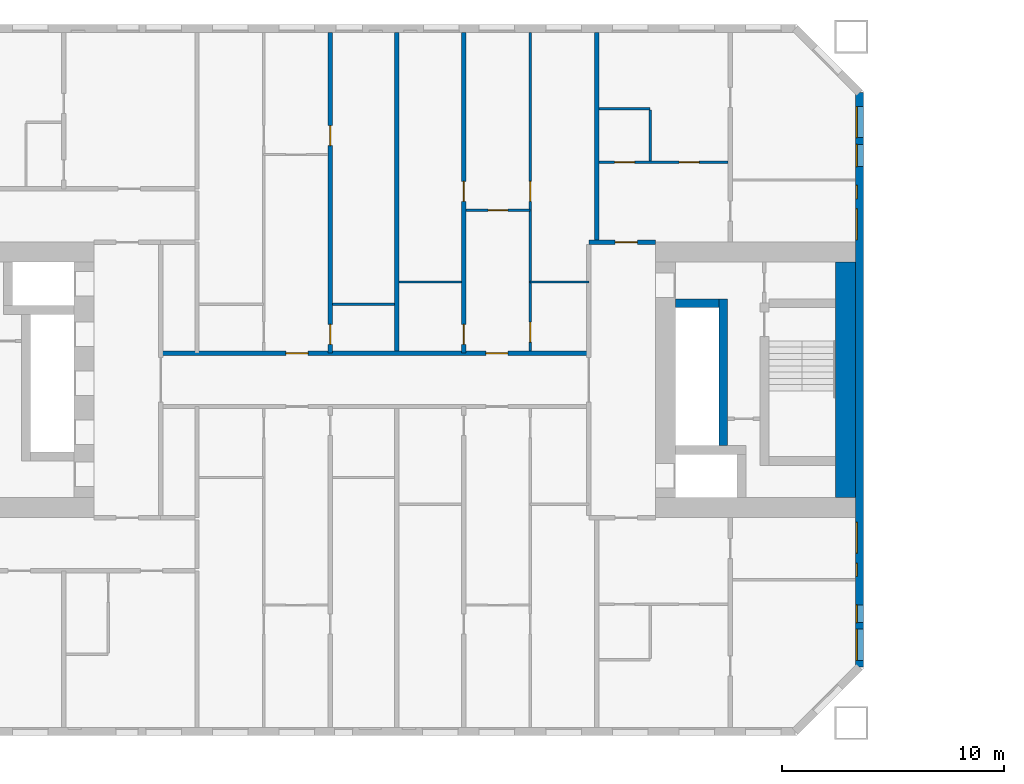
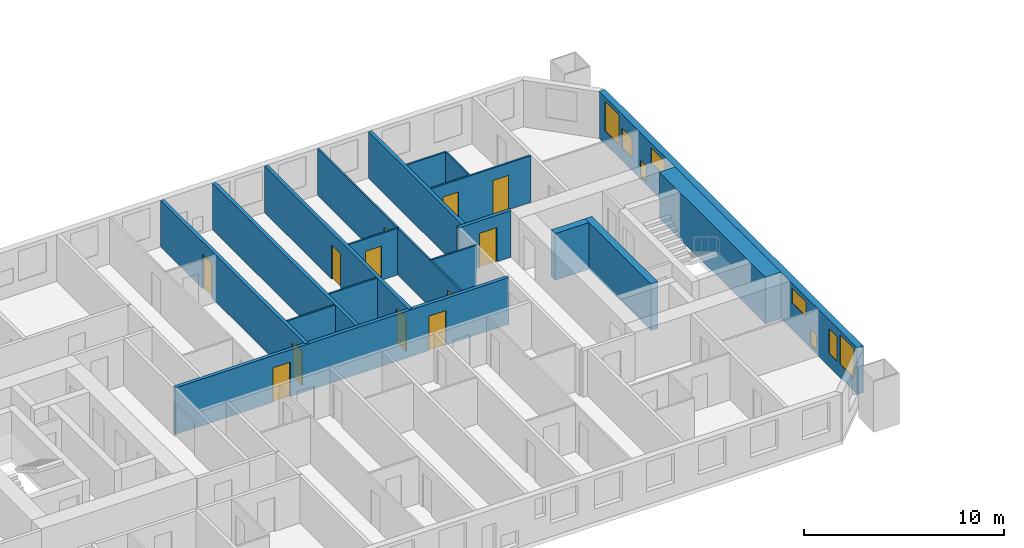
# One storey, part 8 of 18: 18 walls, 12 doors, 8 windows, 20 openings.
"""IFC4 building model written with IfcOpenShell, lengths in metres."""

import ifcopenshell
import ifcopenshell.guid

model = None  # the IFC model being written
_history = None  # IfcOwnerHistory: only IFC2X3 demands one
_inside = {}  # id of a spatial element -> (the spatial element, [elements in it])
_under = {}  # id of a project, library or spatial element -> (it, [spatial elements below it])
_declared = {}  # id of a project -> (the project, [libraries it declares])
_typed = {}  # id of a type object -> (the type object, [elements of that type])
_made_of = {}  # id of a material, layer set ... -> (it, [elements and type objects made of it])


def new_model(schema):
    """Start an empty IFC model of exactly this schema.

    Asked for "IFC4X3", IfcOpenShell would pick the latest addendum, in which some entities
    have other attributes; the version numbers below select the first issue.
    IFC2X3 requires an IfcOwnerHistory on every rooted entity: one is made here for all.
    """
    global model, _history
    if schema == "IFC4X3":
        model = ifcopenshell.file(schema_version=(4, 3, 0, 0))
    else:
        model = ifcopenshell.file(schema=schema)
    _inside.clear()
    _under.clear()
    _declared.clear()
    _typed.clear()
    _made_of.clear()
    _history = None
    if model.schema == "IFC2X3":
        org = make("IfcOrganization", Name="unknown")
        user = make(
            "IfcPersonAndOrganization",
            ThePerson=make("IfcPerson", FamilyName="unknown"),
            TheOrganization=org,
        )
        app = make(
            "IfcApplication",
            ApplicationDeveloper=org,
            Version="unknown",
            ApplicationFullName="unknown",
            ApplicationIdentifier="unknown",
        )
        _history = make(
            "IfcOwnerHistory",
            OwningUser=user,
            OwningApplication=app,
            ChangeAction="ADDED",
            CreationDate=0,
        )
    return model


def make(cls, **values):
    """One entity of the class cls with the attributes given. An attribute that is None is left unset."""
    return model.create_entity(
        cls, **{name: value for name, value in values.items() if value is not None}
    )


def rooted(cls, **values):
    """An entity with a GlobalId (a new one), such as an element, a storey or a relation."""
    return make(cls, GlobalId=ifcopenshell.guid.new(), OwnerHistory=_history, **values)


def si_unit(unit_type, name, prefix=None):
    """IfcSIUnit, for example si_unit("LENGTHUNIT", "METRE", prefix="MILLI")."""
    return make("IfcSIUnit", UnitType=unit_type, Prefix=prefix, Name=name)


def assignment(units):
    """IfcUnitAssignment: the units of a project."""
    return None if units is None else make("IfcUnitAssignment", Units=units)


def point(xyz):
    """IfcCartesianPoint."""
    return None if xyz is None else make("IfcCartesianPoint", Coordinates=xyz)


def direction(xyz):
    """IfcDirection."""
    return None if xyz is None else make("IfcDirection", DirectionRatios=xyz)


def frame(location, z_axis=None, x_axis=None):
    """IfcAxis2Placement3D, a coordinate frame: its origin and axes. An axis left out is left unset."""
    return make(
        "IfcAxis2Placement3D",
        Location=point(location),
        Axis=direction(z_axis),
        RefDirection=direction(x_axis),
    )


def frame_2d(location, x_axis=None):
    """IfcAxis2Placement2D, a coordinate frame in the plane: its origin and x axis."""
    return make(
        "IfcAxis2Placement2D", Location=point(location), RefDirection=direction(x_axis)
    )


def origin():
    """The frame at (0, 0, 0) with its axes left unset."""
    return frame((0.0, 0.0, 0.0))


def place(relative_to, where):
    """IfcLocalPlacement: puts the frame where relative to a parent placement (None: the world)."""
    return make(
        "IfcLocalPlacement", PlacementRelTo=relative_to, RelativePlacement=where
    )


def context(
    kind, dimensions, precision=None, world=None, true_north=None, identifier=None
):
    """IfcGeometricRepresentationContext, for example the 3D "Model" context."""
    return make(
        "IfcGeometricRepresentationContext",
        ContextIdentifier=identifier,
        ContextType=kind,
        CoordinateSpaceDimension=dimensions,
        Precision=precision,
        WorldCoordinateSystem=world,
        TrueNorth=true_north,
    )


def subcontext(parent, identifier, kind, view, scale=None):
    """IfcGeometricRepresentationSubContext, for example "Body" below "Model"."""
    return make(
        "IfcGeometricRepresentationSubContext",
        ContextIdentifier=identifier,
        ContextType=kind,
        ParentContext=parent,
        TargetScale=scale,
        TargetView=view,
    )


def project(units=None, contexts=None):
    """IfcProject with its units and contexts."""
    return rooted(
        "IfcProject",
        Name="project",
        RepresentationContexts=contexts,
        UnitsInContext=assignment(units),
    )


def spatial(cls, under=None, at=None, **own):
    """A site, building, storey or space (cls), placed at a placement, below another one or the project."""
    s = rooted(cls, ObjectPlacement=at, **own)
    if under is not None:
        _under.setdefault(under.id(), (under, []))[1].append(s)
    return s


def profile(cls, at=None, kind="AREA", **sizes):
    """A parametric profile (cls). Its sizes go by their IFC names, for example OverallWidth=200.0."""
    return make(cls, ProfileType=kind, Position=at, **sizes)


def rectangle(**sizes):
    """IfcRectangleProfileDef."""
    return profile("IfcRectangleProfileDef", **sizes)


def extrude(swept, where, along, depth):
    """IfcExtrudedAreaSolid: the profile swept, set in the frame where, extruded along a direction by depth."""
    return make(
        "IfcExtrudedAreaSolid",
        SweptArea=swept,
        Position=where,
        ExtrudedDirection=direction(along),
        Depth=depth,
    )


def shape(context_of_items, identifier, shape_type, items):
    """IfcShapeRepresentation: the items that make up one representation, for example the "Body"."""
    return make(
        "IfcShapeRepresentation",
        ContextOfItems=context_of_items,
        RepresentationIdentifier=identifier,
        RepresentationType=shape_type,
        Items=items,
    )


def material(Name=None, Category=None):
    """IfcMaterial."""
    return make("IfcMaterial", Name=Name, Category=Category)


def layer(
    of_material, thickness, ventilated=None, Name=None, Category=None, Priority=None
):
    """IfcMaterialLayer: one layer of a wall or slab, of a material (None: an air gap)."""
    return make(
        "IfcMaterialLayer",
        Material=of_material,
        LayerThickness=thickness,
        IsVentilated=ventilated,
        Name=Name,
        Category=Category,
        Priority=Priority,
    )


def layer_set(layers, Name=None):
    """IfcMaterialLayerSet."""
    return make("IfcMaterialLayerSet", MaterialLayers=layers, LayerSetName=Name)


def made_of(thing, what):
    """Note that an element or type object is made of a material, layer set ...; save() writes the relation."""
    if what is not None:
        _made_of.setdefault(what.id(), (what, []))[1].append(thing)
    return thing


def type_object(cls, material=None, **own):
    """A type object (cls), such as IfcWallType, which elements share."""
    return made_of(rooted(cls, **own), material)


def element(
    cls,
    number,
    at=None,
    inside=None,
    cuts=None,
    type_object=None,
    material=None,
    context=None,
    identifier="Body",
    shape_type=None,
    held_by="IfcProductDefinitionShape",
    body=None,
    shapes=None,
    **own,
):
    """One element of the class cls, such as IfcWall. Its Tag is "e" and its number.

    at: its placement. inside: the storey or other place that contains it. cuts: it is an
    opening in that element (IfcRelVoidsElement). A single representation is given by context,
    identifier, shape_type and body (its items); several are given by shapes. held_by: the class
    of the entity that holds the representations. save() writes the other relations.
    """
    e = rooted(cls, Tag="e%d" % number, ObjectPlacement=at, **own)
    if body is not None:
        shapes = [shape(context, identifier, shape_type, body)]
    if shapes is not None:
        e.Representation = make(held_by, Representations=shapes)
    if inside is not None:
        _inside.setdefault(inside.id(), (inside, []))[1].append(e)
    if cuts is not None:
        rooted(
            "IfcRelVoidsElement", RelatingBuildingElement=cuts, RelatedOpeningElement=e
        )
    if type_object is not None:
        _typed.setdefault(type_object.id(), (type_object, []))[1].append(e)
    return made_of(e, material)


def fill(opening, filler):
    """IfcRelFillsElement: the door or window that sits in an opening."""
    return rooted(
        "IfcRelFillsElement",
        RelatingOpeningElement=opening,
        RelatedBuildingElement=filler,
    )


def aggregate(whole, parts):
    """IfcRelAggregates: a whole, such as a stair, and the parts it consists of."""
    return rooted("IfcRelAggregates", RelatingObject=whole, RelatedObjects=parts)


def save(model, path):
    """Write the relations noted so far, then the file.

    IfcRelAggregates (storeys below a building ...), IfcRelContainedInSpatialStructure (elements
    in a storey), IfcRelDefinesByType, IfcRelAssociatesMaterial and IfcRelDeclares: one each for
    every whole, place, type object, material and project.
    """
    for whole, parts in _under.values():
        aggregate(whole, parts)
    for where, things in _inside.values():
        rooted(
            "IfcRelContainedInSpatialStructure",
            RelatedElements=things,
            RelatingStructure=where,
        )
    for kind, things in _typed.values():
        rooted("IfcRelDefinesByType", RelatedObjects=things, RelatingType=kind)
    for what, things in _made_of.values():
        rooted("IfcRelAssociatesMaterial", RelatedObjects=things, RelatingMaterial=what)
    for by, libraries in _declared.values():
        rooted("IfcRelDeclares", RelatingContext=by, RelatedDefinitions=libraries)
    model.write(path)


model = new_model("IFC4")

# Units and contexts
model_context = context("Model", 3, precision=1e-05, world=origin(), true_north=direction((0.0, 1.0)))
body_context = subcontext(model_context, "Body", "Model", "MODEL_VIEW")
ifc_project = project(units=[si_unit("LENGTHUNIT", "METRE"), si_unit("AREAUNIT", "SQUARE_METRE"), si_unit("VOLUMEUNIT", "CUBIC_METRE"), si_unit("PLANEANGLEUNIT", "RADIAN"), si_unit("MASSUNIT", "GRAM", prefix="KILO")], contexts=[model_context])

# Site, building, storey
site_placement = place(None, origin())
site = spatial("IfcSite", under=ifc_project, at=site_placement, CompositionType="ELEMENT")
building_placement = place(site_placement, origin())
building = spatial("IfcBuilding", under=site, at=building_placement, Name="Tuart Gate Housing", CompositionType="ELEMENT")
storey_placement = place(building_placement, frame((0.0, 0.0, 31.89990234375)))
storey = spatial("IfcBuildingStorey", under=building, at=storey_placement, Name="L08", CompositionType="ELEMENT", Elevation=31.89990234375)

# Wall, openings, windows
ifc_material_1 = material(Name="Brick", Category="masonry")
ifc_layer_1 = layer(ifc_material_1, 0.360107421875)
ifc_layer_set_1 = layer_set([ifc_layer_1], Name="Brick pier and spandrel wall 360")
wall_type_1 = type_object("IfcWallType", Name="Brick pier and spandrel wall 360", PredefinedType="STANDARD", material=ifc_layer_set_1)
wall_1_placement = place(storey_placement, frame((75.820068359375, 57.07470703125, 0.0), z_axis=(0.0, 0.0, 1.0), x_axis=(0.0, 1.0, 0.0)))
wall_1 = element("IfcWall", 1, at=wall_1_placement, inside=storey, type_object=wall_type_1, Name="External wall A-E L08", PredefinedType="STANDARD", context=body_context, shape_type="SweptSolid", body=[
    extrude(rectangle(XDim=25.850830078125, YDim=0.360107421875, at=frame_2d((12.92529296875, 0.0))), origin(), (0.0, 0.0, 1.0), 2.85009765625),
])
opening_1_placement = place(wall_1_placement, frame((0.300048828125, 0.0, 0.800048828125)))
opening_1 = element("IfcOpeningElement", 2, at=opening_1_placement, cuts=wall_1, Name="Opening W1A", PredefinedType="OPENING", context=body_context, shape_type="SweptSolid", body=[
    extrude(rectangle(XDim=1.39990234375, YDim=1.800048828125, at=frame_2d((0.699951171875, 0.89990234375))), frame((0.0, 0.18994140625, 0.0), z_axis=(0.0, -1.0, 0.0), x_axis=(1.0, 0.0, 0.0)), (0.0, 0.0, 1.0), 0.380126953125),
])
opening_2_placement = place(wall_1_placement, frame((4.075439453125, 0.0, 0.25)))
opening_2 = element("IfcOpeningElement", 3, at=opening_2_placement, cuts=wall_1, Name="Opening W1W", PredefinedType="OPENING", context=body_context, shape_type="SweptSolid", body=[
    extrude(rectangle(XDim=0.60009765625, YDim=0.89990234375, at=frame_2d((0.300048828125, 0.449951171875))), frame((0.0, 0.18994140625, 0.0), z_axis=(0.0, -1.0, 0.0), x_axis=(1.0, 0.0, 0.0)), (0.0, 0.0, 1.0), 0.380126953125),
])
opening_3_placement = place(wall_1_placement, frame((19.225341796875, 0.0, 1.64990234375)))
opening_3 = element("IfcOpeningElement", 4, at=opening_3_placement, cuts=wall_1, Name="Opening W1S", PredefinedType="OPENING", context=body_context, shape_type="SweptSolid", body=[
    extrude(rectangle(XDim=1.39990234375, YDim=0.89990234375, at=frame_2d((0.699951171875, 0.449951171875))), frame((0.0, 0.18994140625, 0.0), z_axis=(0.0, -1.0, 0.0), x_axis=(1.0, 0.0, 0.0)), (0.0, 0.0, 1.0), 0.380126953125),
])
opening_4_placement = place(wall_1_placement, frame((22.525390625, 0.0, 0.800048828125)))
opening_4 = element("IfcOpeningElement", 5, at=opening_4_placement, cuts=wall_1, Name="Opening W1O", PredefinedType="OPENING", context=body_context, shape_type="SweptSolid", body=[
    extrude(rectangle(XDim=1.0, YDim=1.199951171875, at=frame_2d((0.5, 0.60009765625))), frame((0.0, 0.18994140625, 0.0), z_axis=(0.0, -1.0, 0.0), x_axis=(1.0, 0.0, 0.0)), (0.0, 0.0, 1.0), 0.380126953125),
])
opening_5_placement = place(wall_1_placement, frame((2.0, 0.0, 0.800048828125)))
opening_5 = element("IfcOpeningElement", 6, at=opening_5_placement, cuts=wall_1, Name="Opening W1J", PredefinedType="OPENING", context=body_context, shape_type="SweptSolid", body=[
    extrude(rectangle(XDim=0.800048828125, YDim=1.5, at=frame_2d((0.39990234375, 0.75))), frame((0.0, 0.18994140625, 0.0), z_axis=(0.0, -1.0, 0.0), x_axis=(1.0, 0.0, 0.0)), (0.0, 0.0, 1.0), 0.380126953125),
])
opening_6_placement = place(wall_1_placement, frame((5.12548828125, 0.0, 1.64990234375)))
opening_6 = element("IfcOpeningElement", 7, at=opening_6_placement, cuts=wall_1, Name="Opening W1S", PredefinedType="OPENING", context=body_context, shape_type="SweptSolid", body=[
    extrude(rectangle(XDim=1.39990234375, YDim=0.89990234375, at=frame_2d((0.699951171875, 0.449951171875))), frame((0.0, 0.18994140625, 0.0), z_axis=(0.0, -1.0, 0.0), x_axis=(1.0, 0.0, 0.0)), (0.0, 0.0, 1.0), 0.380126953125),
])
opening_7_placement = place(wall_1_placement, frame((21.075439453125, 0.0, 0.25)))
opening_7 = element("IfcOpeningElement", 8, at=opening_7_placement, cuts=wall_1, Name="Opening W1W", PredefinedType="OPENING", context=body_context, shape_type="SweptSolid", body=[
    extrude(rectangle(XDim=0.60009765625, YDim=0.89990234375, at=frame_2d((0.300048828125, 0.449951171875))), frame((0.0, 0.18994140625, 0.0), z_axis=(0.0, -1.0, 0.0), x_axis=(1.0, 0.0, 0.0)), (0.0, 0.0, 1.0), 0.380126953125),
])
opening_8_placement = place(wall_1_placement, frame((23.825439453125, 0.0, 0.800048828125)))
opening_8 = element("IfcOpeningElement", 9, at=opening_8_placement, cuts=wall_1, Name="Opening W1A", PredefinedType="OPENING", context=body_context, shape_type="SweptSolid", body=[
    extrude(rectangle(XDim=1.39990234375, YDim=1.800048828125, at=frame_2d((0.699951171875, 0.89990234375))), frame((0.0, 0.18994140625, 0.0), z_axis=(0.0, -1.0, 0.0), x_axis=(1.0, 0.0, 0.0)), (0.0, 0.0, 1.0), 0.380126953125),
])
ifc_material_2 = material(Name="Aluminium frame with clear glass", Category="aluminium")
window_type_1 = type_object("IfcWindowType", Name="Punched window 1000 x 1200", PartitioningType="SINGLE_PANEL", PredefinedType="WINDOW", material=ifc_material_2)
window_1_placement = place(opening_4_placement, origin())
window_1 = element("IfcWindow", 10, at=window_1_placement, inside=storey, type_object=window_type_1, Name="Window W1O", OverallHeight=1.199951171875, OverallWidth=1.0, PartitioningType="SINGLE_PANEL", PredefinedType="WINDOW", context=body_context, shape_type="SweptSolid", body=[
    extrude(rectangle(XDim=1.0, YDim=1.199951171875, at=frame_2d((0.5, 0.60009765625))), frame((0.0, 0.150146484375, 0.0), z_axis=(0.0, -1.0, 0.0), x_axis=(1.0, 0.0, 0.0)), (0.0, 0.0, 1.0), 0.06005859375),
])
fill(opening_4, window_1)
ifc_material_3 = material(Name="Aluminium frame with clear glass", Category="aluminium")
window_type_2 = type_object("IfcWindowType", Name="Punched window 1400 x 1800", PartitioningType="SINGLE_PANEL", PredefinedType="WINDOW", material=ifc_material_3)
window_2_placement = place(opening_1_placement, origin())
window_2 = element("IfcWindow", 11, at=window_2_placement, inside=storey, type_object=window_type_2, Name="Window W1A", OverallHeight=1.800048828125, OverallWidth=1.39990234375, PartitioningType="SINGLE_PANEL", PredefinedType="WINDOW", context=body_context, shape_type="SweptSolid", body=[
    extrude(rectangle(XDim=1.39990234375, YDim=1.800048828125, at=frame_2d((0.699951171875, 0.89990234375))), frame((0.0, 0.150146484375, 0.0), z_axis=(0.0, -1.0, 0.0), x_axis=(1.0, 0.0, 0.0)), (0.0, 0.0, 1.0), 0.06005859375),
])
fill(opening_1, window_2)
window_3_placement = place(opening_8_placement, origin())
window_3 = element("IfcWindow", 12, at=window_3_placement, inside=storey, type_object=window_type_2, Name="Window W1A", OverallHeight=1.800048828125, OverallWidth=1.39990234375, PartitioningType="SINGLE_PANEL", PredefinedType="WINDOW", context=body_context, shape_type="SweptSolid", body=[
    extrude(rectangle(XDim=1.39990234375, YDim=1.800048828125, at=frame_2d((0.699951171875, 0.89990234375))), frame((0.0, 0.150146484375, 0.0), z_axis=(0.0, -1.0, 0.0), x_axis=(1.0, 0.0, 0.0)), (0.0, 0.0, 1.0), 0.06005859375),
])
fill(opening_8, window_3)
ifc_material_4 = material(Name="Aluminium frame with clear glass", Category="aluminium")
window_type_3 = type_object("IfcWindowType", Name="Punched window 1400 x 900", PartitioningType="SINGLE_PANEL", PredefinedType="WINDOW", material=ifc_material_4)
window_4_placement = place(opening_3_placement, origin())
window_4 = element("IfcWindow", 13, at=window_4_placement, inside=storey, type_object=window_type_3, Name="Window W1S", OverallHeight=0.89990234375, OverallWidth=1.39990234375, PartitioningType="SINGLE_PANEL", PredefinedType="WINDOW", context=body_context, shape_type="SweptSolid", body=[
    extrude(rectangle(XDim=1.39990234375, YDim=0.89990234375, at=frame_2d((0.699951171875, 0.449951171875))), frame((0.0, 0.150146484375, 0.0), z_axis=(0.0, -1.0, 0.0), x_axis=(1.0, 0.0, 0.0)), (0.0, 0.0, 1.0), 0.06005859375),
])
fill(opening_3, window_4)
window_5_placement = place(opening_6_placement, origin())
window_5 = element("IfcWindow", 14, at=window_5_placement, inside=storey, type_object=window_type_3, Name="Window W1S", OverallHeight=0.89990234375, OverallWidth=1.39990234375, PartitioningType="SINGLE_PANEL", PredefinedType="WINDOW", context=body_context, shape_type="SweptSolid", body=[
    extrude(rectangle(XDim=1.39990234375, YDim=0.89990234375, at=frame_2d((0.699951171875, 0.449951171875))), frame((0.0, 0.150146484375, 0.0), z_axis=(0.0, -1.0, 0.0), x_axis=(1.0, 0.0, 0.0)), (0.0, 0.0, 1.0), 0.06005859375),
])
fill(opening_6, window_5)
ifc_material_5 = material(Name="Aluminium frame with clear glass", Category="aluminium")
window_type_4 = type_object("IfcWindowType", Name="Punched window 600 x 900", PartitioningType="SINGLE_PANEL", PredefinedType="WINDOW", material=ifc_material_5)
window_6_placement = place(opening_2_placement, origin())
window_6 = element("IfcWindow", 15, at=window_6_placement, inside=storey, type_object=window_type_4, Name="Window W1W", OverallHeight=0.89990234375, OverallWidth=0.60009765625, PartitioningType="SINGLE_PANEL", PredefinedType="WINDOW", context=body_context, shape_type="SweptSolid", body=[
    extrude(rectangle(XDim=0.60009765625, YDim=0.89990234375, at=frame_2d((0.300048828125, 0.449951171875))), frame((0.0, 0.150146484375, 0.0), z_axis=(0.0, -1.0, 0.0), x_axis=(1.0, 0.0, 0.0)), (0.0, 0.0, 1.0), 0.06005859375),
])
fill(opening_2, window_6)
window_7_placement = place(opening_7_placement, origin())
window_7 = element("IfcWindow", 16, at=window_7_placement, inside=storey, type_object=window_type_4, Name="Window W1W", OverallHeight=0.89990234375, OverallWidth=0.60009765625, PartitioningType="SINGLE_PANEL", PredefinedType="WINDOW", context=body_context, shape_type="SweptSolid", body=[
    extrude(rectangle(XDim=0.60009765625, YDim=0.89990234375, at=frame_2d((0.300048828125, 0.449951171875))), frame((0.0, 0.150146484375, 0.0), z_axis=(0.0, -1.0, 0.0), x_axis=(1.0, 0.0, 0.0)), (0.0, 0.0, 1.0), 0.06005859375),
])
fill(opening_7, window_7)
ifc_material_6 = material(Name="Aluminium frame with clear glass", Category="aluminium")
window_type_5 = type_object("IfcWindowType", Name="Punched window 800 x 1500", PartitioningType="SINGLE_PANEL", PredefinedType="WINDOW", material=ifc_material_6)
window_8_placement = place(opening_5_placement, origin())
window_8 = element("IfcWindow", 17, at=window_8_placement, inside=storey, type_object=window_type_5, Name="Window W1J", OverallHeight=1.5, OverallWidth=0.800048828125, PartitioningType="SINGLE_PANEL", PredefinedType="WINDOW", context=body_context, shape_type="SweptSolid", body=[
    extrude(rectangle(XDim=0.800048828125, YDim=1.5, at=frame_2d((0.39990234375, 0.75))), frame((0.0, 0.150146484375, 0.0), z_axis=(0.0, -1.0, 0.0), x_axis=(1.0, 0.0, 0.0)), (0.0, 0.0, 1.0), 0.06005859375),
])
fill(opening_5, window_8)

# Walls
ifc_material_7 = material(Name="Concrete C60", Category="concrete")
ifc_layer_2 = layer(ifc_material_7, 0.39990234375)
ifc_layer_set_2 = layer_set([ifc_layer_2], Name="Core wall 400 C60")
wall_type_2 = type_object("IfcWallType", Name="Core wall 400 C60", PredefinedType="SHEAR", material=ifc_layer_set_2)
wall_2_placement = place(storey_placement, frame((67.5400390625, 73.449951171875, 0.0), z_axis=(0.0, 0.0, 1.0), x_axis=(1.0, 0.0, 0.0)))
element("IfcWall", 18, at=wall_2_placement, inside=storey, type_object=wall_type_2, Name="Core wall AG.4", PredefinedType="SHEAR", context=body_context, shape_type="SweptSolid", body=[
    extrude(rectangle(XDim=1.949951171875, YDim=0.39990234375, at=frame_2d((0.97509765625, 0.0))), origin(), (0.0, 0.0, 1.0), 2.85009765625),
])
wall_3_placement = place(storey_placement, frame((69.68994140625, 67.050048828125, 0.0), z_axis=(0.0, 0.0, 1.0), x_axis=(0.0, 1.0, 0.0)))
element("IfcWall", 19, at=wall_3_placement, inside=storey, type_object=wall_type_2, Name="Core wall AG.6", PredefinedType="SHEAR", context=body_context, shape_type="SweptSolid", body=[
    extrude(rectangle(XDim=6.599853515625, YDim=0.39990234375, at=frame_2d((3.2998046875, 0.0))), origin(), (0.0, 0.0, 1.0), 2.85009765625),
])
ifc_material_8 = material(Name="Concrete C60", Category="concrete")
ifc_layer_3 = layer(ifc_material_8, 0.89990234375)
ifc_layer_set_3 = layer_set([ifc_layer_3], Name="Core wall 900 C60")
wall_type_3 = type_object("IfcWallType", Name="Core wall 900 C60", PredefinedType="SHEAR", material=ifc_layer_set_3)
wall_4_placement = place(storey_placement, frame((75.18994140625, 64.699951171875, 0.0), z_axis=(0.0, 0.0, 1.0), x_axis=(0.0, 1.0, 0.0)))
element("IfcWall", 20, at=wall_4_placement, inside=storey, type_object=wall_type_3, Name="Core wall AG back", PredefinedType="SHEAR", context=body_context, shape_type="SweptSolid", body=[
    extrude(rectangle(XDim=10.60009765625, YDim=0.89990234375, at=frame_2d((5.300048828125, 0.0))), origin(), (0.0, 0.0, 1.0), 2.85009765625),
])

# Wall, openings, doors
ifc_material_9 = material(Name="Concrete masonry 15 MPa", Category="masonry")
ifc_layer_4 = layer(ifc_material_9, 0.199951171875)
ifc_layer_set_4 = layer_set([ifc_layer_4], Name="Corridor wall masonry 200")
wall_type_4 = type_object("IfcWallType", Name="Corridor wall masonry 200", PredefinedType="PARTITIONING", material=ifc_layer_set_4)
wall_5_placement = place(storey_placement, frame((44.360107421875, 71.199951171875, 0.0), z_axis=(0.0, 0.0, 1.0), x_axis=(1.0, 0.0, 0.0)))
wall_5 = element("IfcWall", 21, at=wall_5_placement, inside=storey, type_object=wall_type_4, Name="Corridor wall masonry 200", PredefinedType="PARTITIONING", context=body_context, shape_type="SweptSolid", body=[
    extrude(rectangle(XDim=19.27978515625, YDim=0.199951171875, at=frame_2d((9.639892578125, 0.0))), origin(), (0.0, 0.0, 1.0), 2.85009765625),
])
opening_9_placement = place(wall_5_placement, frame((14.639892578125, 0.0, 0.0)))
opening_9 = element("IfcOpeningElement", 22, at=opening_9_placement, cuts=wall_5, Name="Opening D494", PredefinedType="OPENING", context=body_context, shape_type="SweptSolid", body=[
    extrude(rectangle(XDim=1.0, YDim=2.10009765625, at=frame_2d((0.5, 1.050048828125))), frame((0.0, 0.10986328125, 0.0), z_axis=(0.0, -1.0, 0.0), x_axis=(1.0, 0.0, 0.0)), (0.0, 0.0, 1.0), 0.219970703125),
])
opening_10_placement = place(wall_5_placement, frame((5.639892578125, 0.0, 0.0)))
opening_10 = element("IfcOpeningElement", 23, at=opening_10_placement, cuts=wall_5, Name="Opening D495", PredefinedType="OPENING", context=body_context, shape_type="SweptSolid", body=[
    extrude(rectangle(XDim=1.0, YDim=2.10009765625, at=frame_2d((0.5, 1.050048828125))), frame((0.0, 0.10986328125, 0.0), z_axis=(0.0, -1.0, 0.0), x_axis=(1.0, 0.0, 0.0)), (0.0, 0.0, 1.0), 0.219970703125),
])
ifc_material_10 = material(Name="Timber door leaf in steel frame", Category="steel")
door_type_1 = type_object("IfcDoorType", Name="Flat entrance door 1000", OperationType="SINGLE_SWING_LEFT", PredefinedType="DOOR", material=ifc_material_10)
door_1_placement = place(opening_9_placement, origin())
door_1 = element("IfcDoor", 24, at=door_1_placement, inside=storey, type_object=door_type_1, Name="Flat entrance door", OperationType="SINGLE_SWING_LEFT", OverallHeight=2.10009765625, OverallWidth=1.0, PredefinedType="DOOR", context=body_context, shape_type="SweptSolid", body=[
    extrude(rectangle(XDim=1.0, YDim=2.10009765625, at=frame_2d((0.5, 1.050048828125))), frame((0.0, 0.02490234375, 0.0), z_axis=(0.0, -1.0, 0.0), x_axis=(1.0, 0.0, 0.0)), (0.0, 0.0, 1.0), 0.050048828125),
])
fill(opening_9, door_1)
door_2_placement = place(opening_10_placement, origin())
door_2 = element("IfcDoor", 25, at=door_2_placement, inside=storey, type_object=door_type_1, Name="Flat entrance door", OperationType="SINGLE_SWING_LEFT", OverallHeight=2.10009765625, OverallWidth=1.0, PredefinedType="DOOR", context=body_context, shape_type="SweptSolid", body=[
    extrude(rectangle(XDim=1.0, YDim=2.10009765625, at=frame_2d((0.5, 1.050048828125))), frame((0.0, 0.02490234375, 0.0), z_axis=(0.0, -1.0, 0.0), x_axis=(1.0, 0.0, 0.0)), (0.0, 0.0, 1.0), 0.050048828125),
])
fill(opening_10, door_2)

# Wall, opening, door
ifc_material_11 = material(Name="Concrete masonry 15 MPa", Category="masonry")
ifc_layer_5 = layer(ifc_material_11, 0.199951171875)
ifc_layer_set_5 = layer_set([ifc_layer_5], Name="Enclosure wall masonry 200")
wall_type_5 = type_object("IfcWallType", Name="Enclosure wall masonry 200", PredefinedType="PARTITIONING", material=ifc_layer_set_5)
wall_6_placement = place(storey_placement, frame((63.639892578125, 76.199951171875, 0.0), z_axis=(0.0, 0.0, 1.0), x_axis=(1.0, 0.0, 0.0)))
wall_6 = element("IfcWall", 26, at=wall_6_placement, inside=storey, type_object=wall_type_5, Name="Enclosure wall masonry 200", PredefinedType="PARTITIONING", context=body_context, shape_type="SweptSolid", body=[
    extrude(rectangle(XDim=3.0, YDim=0.199951171875, at=frame_2d((1.5, 0.0))), origin(), (0.0, 0.0, 1.0), 2.85009765625),
])
opening_11_placement = place(wall_6_placement, frame((1.179931640625, 0.0, 0.0)))
opening_11 = element("IfcOpeningElement", 27, at=opening_11_placement, cuts=wall_6, Name="Opening D491", PredefinedType="OPENING", context=body_context, shape_type="SweptSolid", body=[
    extrude(rectangle(XDim=1.0, YDim=2.10009765625, at=frame_2d((0.5, 1.050048828125))), frame((0.0, 0.10986328125, 0.0), z_axis=(0.0, -1.0, 0.0), x_axis=(1.0, 0.0, 0.0)), (0.0, 0.0, 1.0), 0.219970703125),
])
door_3_placement = place(opening_11_placement, origin())
door_3 = element("IfcDoor", 28, at=door_3_placement, inside=storey, type_object=door_type_1, Name="Flat entrance door", OperationType="SINGLE_SWING_LEFT", OverallHeight=2.10009765625, OverallWidth=1.0, PredefinedType="DOOR", context=body_context, shape_type="SweptSolid", body=[
    extrude(rectangle(XDim=1.0, YDim=2.10009765625, at=frame_2d((0.5, 1.050048828125))), frame((0.0, 0.02490234375, 0.0), z_axis=(0.0, -1.0, 0.0), x_axis=(1.0, 0.0, 0.0)), (0.0, 0.0, 1.0), 0.050048828125),
])
fill(opening_11, door_3)

# Walls
ifc_material_12 = material(Name="Gypsum board on steel studs", Category="steel")
ifc_layer_6 = layer(ifc_material_12, 0.10009765625)
ifc_layer_set_6 = layer_set([ifc_layer_6], Name="Partition 100")
wall_type_6 = type_object("IfcWallType", Name="Partition 100", PredefinedType="PARTITIONING", material=ifc_layer_set_6)
for number, where, z_axis, x_axis, name in (
    (29, (52.10009765625, 73.39990234375, 0.0), (0.0, 0.0, 1.0), (1.0, 0.0, 0.0), "Partition 100"),
    (30, (55.10009765625, 74.39990234375, 0.0), (0.0, 0.0, 1.0), (1.0, 0.0, 0.0), "Partition 100"),
):
    element("IfcWall", number, at=place(storey_placement, frame(where, z_axis=z_axis, x_axis=x_axis)), inside=storey, type_object=wall_type_6, Name=name, PredefinedType="PARTITIONING", context=body_context, shape_type="SweptSolid", body=[
        extrude(rectangle(XDim=2.7998046875, YDim=0.10009765625, at=frame_2d((1.39990234375, 0.0))), origin(), (0.0, 0.0, 1.0), 2.85009765625),
    ])
wall_7_placement = place(storey_placement, frame((61.0, 74.39990234375, 0.0), z_axis=(0.0, 0.0, 1.0), x_axis=(1.0, 0.0, 0.0)))
element("IfcWall", 31, at=wall_7_placement, inside=storey, type_object=wall_type_6, Name="Partition 100", PredefinedType="PARTITIONING", context=body_context, shape_type="SweptSolid", body=[
    extrude(rectangle(XDim=2.639892578125, YDim=0.10009765625, at=frame_2d((1.31982421875, 0.0))), origin(), (0.0, 0.0, 1.0), 2.85009765625),
])

# Wall, opening, door
wall_8_placement = place(storey_placement, frame((58.10009765625, 77.639892578125, 0.0), z_axis=(0.0, 0.0, 1.0), x_axis=(1.0, 0.0, 0.0)))
wall_8 = element("IfcWall", 32, at=wall_8_placement, inside=storey, type_object=wall_type_6, Name="Partition 100", PredefinedType="PARTITIONING", context=body_context, shape_type="SweptSolid", body=[
    extrude(rectangle(XDim=2.89990234375, YDim=0.10009765625, at=frame_2d((1.449951171875, 0.0))), origin(), (0.0, 0.0, 1.0), 2.85009765625),
])
opening_12_placement = place(wall_8_placement, frame((1.0, 0.0, 0.0)))
opening_12 = element("IfcOpeningElement", 33, at=opening_12_placement, cuts=wall_8, Name="Opening D488", PredefinedType="OPENING", context=body_context, shape_type="SweptSolid", body=[
    extrude(rectangle(XDim=0.89990234375, YDim=2.10009765625, at=frame_2d((0.449951171875, 1.050048828125))), frame((0.0, 0.06005859375, 0.0), z_axis=(0.0, -1.0, 0.0), x_axis=(1.0, 0.0, 0.0)), (0.0, 0.0, 1.0), 0.1201171875),
])
ifc_material_13 = material(Name="Timber door leaf in steel frame", Category="steel")
door_type_2 = type_object("IfcDoorType", Name="Internal door 900", OperationType="SINGLE_SWING_LEFT", PredefinedType="DOOR", material=ifc_material_13)
door_4_placement = place(opening_12_placement, frame((0.89990234375, 0.0, 0.0), z_axis=(0.0, 0.0, 1.0), x_axis=(-1.0, 0.0, 0.0)))
door_4 = element("IfcDoor", 34, at=door_4_placement, inside=storey, type_object=door_type_2, Name="Internal door", OperationType="SINGLE_SWING_LEFT", OverallHeight=2.10009765625, OverallWidth=0.89990234375, PredefinedType="DOOR", context=body_context, shape_type="SweptSolid", body=[
    extrude(rectangle(XDim=0.89990234375, YDim=2.10009765625, at=frame_2d((0.449951171875, 1.050048828125))), frame((0.0, 0.025146484375, 0.0), z_axis=(0.0, -1.0, 0.0), x_axis=(1.0, 0.0, 0.0)), (0.0, 0.0, 1.0), 0.050048828125),
])
fill(opening_12, door_4)

# Wall, openings, doors
wall_9_placement = place(storey_placement, frame((64.10009765625, 79.800048828125, 0.0), z_axis=(0.0, 0.0, 1.0), x_axis=(1.0, 0.0, 0.0)))
wall_9 = element("IfcWall", 35, at=wall_9_placement, inside=storey, type_object=wall_type_6, Name="Partition 100", PredefinedType="PARTITIONING", context=body_context, shape_type="SweptSolid", body=[
    extrude(rectangle(XDim=5.7998046875, YDim=0.10009765625, at=frame_2d((2.89990234375, 0.0))), origin(), (0.0, 0.0, 1.0), 2.85009765625),
])
opening_13_placement = place(wall_9_placement, frame((3.60009765625, 0.0, 0.0)))
opening_13 = element("IfcOpeningElement", 36, at=opening_13_placement, cuts=wall_9, Name="Opening D476", PredefinedType="OPENING", context=body_context, shape_type="SweptSolid", body=[
    extrude(rectangle(XDim=0.89990234375, YDim=2.10009765625, at=frame_2d((0.449951171875, 1.050048828125))), frame((0.0, 0.06005859375, 0.0), z_axis=(0.0, -1.0, 0.0), x_axis=(1.0, 0.0, 0.0)), (0.0, 0.0, 1.0), 0.1201171875),
])
opening_14_placement = place(wall_9_placement, frame((0.699951171875, 0.0, 0.0)))
opening_14 = element("IfcOpeningElement", 37, at=opening_14_placement, cuts=wall_9, Name="Opening D475", PredefinedType="OPENING", context=body_context, shape_type="SweptSolid", body=[
    extrude(rectangle(XDim=0.89990234375, YDim=2.10009765625, at=frame_2d((0.449951171875, 1.050048828125))), frame((0.0, 0.06005859375, 0.0), z_axis=(0.0, -1.0, 0.0), x_axis=(1.0, 0.0, 0.0)), (0.0, 0.0, 1.0), 0.1201171875),
])
ifc_material_14 = material(Name="Timber door leaf in steel frame", Category="steel")
door_type_3 = type_object("IfcDoorType", Name="Bathroom door 900 RH", OperationType="SINGLE_SWING_RIGHT", PredefinedType="DOOR", material=ifc_material_14)
door_5_placement = place(opening_14_placement, origin())
door_5 = element("IfcDoor", 38, at=door_5_placement, inside=storey, type_object=door_type_3, Name="Bathroom door", OperationType="SINGLE_SWING_RIGHT", OverallHeight=2.10009765625, OverallWidth=0.89990234375, PredefinedType="DOOR", context=body_context, shape_type="SweptSolid", body=[
    extrude(rectangle(XDim=0.89990234375, YDim=2.10009765625, at=frame_2d((0.449951171875, 1.050048828125))), frame((0.0, 0.02490234375, 0.0), z_axis=(0.0, -1.0, 0.0), x_axis=(1.0, 0.0, 0.0)), (0.0, 0.0, 1.0), 0.050048828125),
])
fill(opening_14, door_5)
door_6_placement = place(opening_13_placement, frame((0.89990234375, 0.0, 0.0), z_axis=(0.0, 0.0, 1.0), x_axis=(-1.0, 0.0, 0.0)))
door_6 = element("IfcDoor", 39, at=door_6_placement, inside=storey, type_object=door_type_2, Name="Internal door", OperationType="SINGLE_SWING_LEFT", OverallHeight=2.10009765625, OverallWidth=0.89990234375, PredefinedType="DOOR", context=body_context, shape_type="SweptSolid", body=[
    extrude(rectangle(XDim=0.89990234375, YDim=2.10009765625, at=frame_2d((0.449951171875, 1.050048828125))), frame((0.0, 0.025146484375, 0.0), z_axis=(0.0, -1.0, 0.0), x_axis=(1.0, 0.0, 0.0)), (0.0, 0.0, 1.0), 0.050048828125),
])
fill(opening_13, door_6)

# Wall
wall_10_placement = place(storey_placement, frame((64.10009765625, 82.199951171875, 0.0), z_axis=(0.0, 0.0, 1.0), x_axis=(1.0, 0.0, 0.0)))
element("IfcWall", 40, at=wall_10_placement, inside=storey, type_object=wall_type_6, Name="Partition 100", PredefinedType="PARTITIONING", context=body_context, shape_type="SweptSolid", body=[
    extrude(rectangle(XDim=2.2998046875, YDim=0.10009765625, at=frame_2d((1.14990234375, 0.0))), origin(), (0.0, 0.0, 1.0), 2.85009765625),
])

# Wall, openings, doors
wall_11_placement = place(storey_placement, frame((61.0, 71.300048828125, 0.0), z_axis=(0.0, 0.0, 1.0), x_axis=(0.0, 1.0, 0.0)))
wall_11 = element("IfcWall", 41, at=wall_11_placement, inside=storey, type_object=wall_type_6, Name="Partition 100", PredefinedType="PARTITIONING", context=body_context, shape_type="SweptSolid", body=[
    extrude(rectangle(XDim=14.33984375, YDim=0.10009765625, at=frame_2d((7.169921875, 0.0))), origin(), (0.0, 0.0, 1.0), 2.85009765625),
])
opening_15_placement = place(wall_11_placement, frame((6.739990234375, 0.0, 0.0)))
opening_15 = element("IfcOpeningElement", 42, at=opening_15_placement, cuts=wall_11, Name="Opening D483", PredefinedType="OPENING", context=body_context, shape_type="SweptSolid", body=[
    extrude(rectangle(XDim=0.89990234375, YDim=2.10009765625, at=frame_2d((0.449951171875, 1.050048828125))), frame((0.0, 0.06005859375, 0.0), z_axis=(0.0, -1.0, 0.0), x_axis=(1.0, 0.0, 0.0)), (0.0, 0.0, 1.0), 0.1201171875),
])
opening_16_placement = place(wall_11_placement, frame((0.39990234375, 0.0, 0.0)))
opening_16 = element("IfcOpeningElement", 43, at=opening_16_placement, cuts=wall_11, Name="Opening D482", PredefinedType="OPENING", context=body_context, shape_type="SweptSolid", body=[
    extrude(rectangle(XDim=0.89990234375, YDim=2.10009765625, at=frame_2d((0.449951171875, 1.050048828125))), frame((0.0, 0.06005859375, 0.0), z_axis=(0.0, -1.0, 0.0), x_axis=(1.0, 0.0, 0.0)), (0.0, 0.0, 1.0), 0.1201171875),
])
door_7_placement = place(opening_16_placement, frame((0.89990234375, 0.0, 0.0), z_axis=(0.0, 0.0, 1.0), x_axis=(-1.0, 0.0, 0.0)))
door_7 = element("IfcDoor", 44, at=door_7_placement, inside=storey, type_object=door_type_3, Name="Bathroom door", OperationType="SINGLE_SWING_RIGHT", OverallHeight=2.10009765625, OverallWidth=0.89990234375, PredefinedType="DOOR", context=body_context, shape_type="SweptSolid", body=[
    extrude(rectangle(XDim=0.89990234375, YDim=2.10009765625, at=frame_2d((0.449951171875, 1.050048828125))), frame((0.0, 0.025146484375, 0.0), z_axis=(0.0, -1.0, 0.0), x_axis=(1.0, 0.0, 0.0)), (0.0, 0.0, 1.0), 0.050048828125),
])
fill(opening_16, door_7)
ifc_material_15 = material(Name="Timber door leaf in steel frame", Category="steel")
door_type_4 = type_object("IfcDoorType", Name="Internal door 900 RH", OperationType="SINGLE_SWING_RIGHT", PredefinedType="DOOR", material=ifc_material_15)
door_8_placement = place(opening_15_placement, frame((0.89990234375, 0.0, 0.0), z_axis=(0.0, 0.0, 1.0), x_axis=(-1.0, 0.0, 0.0)))
door_8 = element("IfcDoor", 45, at=door_8_placement, inside=storey, type_object=door_type_4, Name="Internal door", OperationType="SINGLE_SWING_RIGHT", OverallHeight=2.10009765625, OverallWidth=0.89990234375, PredefinedType="DOOR", context=body_context, shape_type="SweptSolid", body=[
    extrude(rectangle(XDim=0.89990234375, YDim=2.10009765625, at=frame_2d((0.449951171875, 1.050048828125))), frame((0.0, 0.025146484375, 0.0), z_axis=(0.0, -1.0, 0.0), x_axis=(1.0, 0.0, 0.0)), (0.0, 0.0, 1.0), 0.050048828125),
])
fill(opening_15, door_8)

# Wall
wall_12_placement = place(storey_placement, frame((66.39990234375, 79.85009765625, 0.0), z_axis=(0.0, 0.0, 1.0), x_axis=(0.0, 1.0, 0.0)))
element("IfcWall", 46, at=wall_12_placement, inside=storey, type_object=wall_type_6, Name="Partition 100", PredefinedType="PARTITIONING", context=body_context, shape_type="SweptSolid", body=[
    extrude(rectangle(XDim=2.2998046875, YDim=0.10009765625, at=frame_2d((1.14990234375, 0.0))), origin(), (0.0, 0.0, 1.0), 2.85009765625),
])

# Wall, openings, doors
ifc_material_16 = material(Name="Concrete C40", Category="concrete")
ifc_layer_7 = layer(ifc_material_16, 0.199951171875)
ifc_layer_set_7 = layer_set([ifc_layer_7], Name="Party wall concrete C40 200")
wall_type_7 = type_object("IfcWallType", Name="Party wall concrete C40 200", PredefinedType="SOLIDWALL", material=ifc_layer_set_7)
wall_13_placement = place(storey_placement, frame((52.0, 71.199951171875, 0.0), z_axis=(0.0, 0.0, 1.0), x_axis=(0.0, 1.0, 0.0)))
wall_13 = element("IfcWall", 47, at=wall_13_placement, inside=storey, type_object=wall_type_7, Name="Party wall concrete C40 200", PredefinedType="SOLIDWALL", context=body_context, shape_type="SweptSolid", body=[
    extrude(rectangle(XDim=14.43994140625, YDim=0.199951171875, at=frame_2d((7.219970703125, 0.0))), origin(), (0.0, 0.0, 1.0), 2.85009765625),
])
opening_17_placement = place(wall_13_placement, frame((9.340087890625, 0.0, 0.0)))
opening_17 = element("IfcOpeningElement", 48, at=opening_17_placement, cuts=wall_13, Name="Opening D485", PredefinedType="OPENING", context=body_context, shape_type="SweptSolid", body=[
    extrude(rectangle(XDim=0.89990234375, YDim=2.10009765625, at=frame_2d((0.449951171875, 1.050048828125))), frame((0.0, 0.10986328125, 0.0), z_axis=(0.0, -1.0, 0.0), x_axis=(1.0, 0.0, 0.0)), (0.0, 0.0, 1.0), 0.219970703125),
])
opening_18_placement = place(wall_13_placement, frame((0.39990234375, 0.0, 0.0)))
opening_18 = element("IfcOpeningElement", 49, at=opening_18_placement, cuts=wall_13, Name="Opening D484", PredefinedType="OPENING", context=body_context, shape_type="SweptSolid", body=[
    extrude(rectangle(XDim=0.89990234375, YDim=2.10009765625, at=frame_2d((0.449951171875, 1.050048828125))), frame((0.0, 0.10986328125, 0.0), z_axis=(0.0, -1.0, 0.0), x_axis=(1.0, 0.0, 0.0)), (0.0, 0.0, 1.0), 0.219970703125),
])
door_9_placement = place(opening_18_placement, frame((0.89990234375, 0.0, 0.0), z_axis=(0.0, 0.0, 1.0), x_axis=(-1.0, 0.0, 0.0)))
door_9 = element("IfcDoor", 50, at=door_9_placement, inside=storey, type_object=door_type_3, Name="Bathroom door", OperationType="SINGLE_SWING_RIGHT", OverallHeight=2.10009765625, OverallWidth=0.89990234375, PredefinedType="DOOR", context=body_context, shape_type="SweptSolid", body=[
    extrude(rectangle(XDim=0.89990234375, YDim=2.10009765625, at=frame_2d((0.449951171875, 1.050048828125))), frame((0.0, 0.025146484375, 0.0), z_axis=(0.0, -1.0, 0.0), x_axis=(1.0, 0.0, 0.0)), (0.0, 0.0, 1.0), 0.050048828125),
])
fill(opening_18, door_9)
door_10_placement = place(opening_17_placement, frame((0.89990234375, 0.0, 0.0), z_axis=(0.0, 0.0, 1.0), x_axis=(-1.0, 0.0, 0.0)))
door_10 = element("IfcDoor", 51, at=door_10_placement, inside=storey, type_object=door_type_2, Name="Internal door", OperationType="SINGLE_SWING_LEFT", OverallHeight=2.10009765625, OverallWidth=0.89990234375, PredefinedType="DOOR", context=body_context, shape_type="SweptSolid", body=[
    extrude(rectangle(XDim=0.89990234375, YDim=2.10009765625, at=frame_2d((0.449951171875, 1.050048828125))), frame((0.0, 0.025146484375, 0.0), z_axis=(0.0, -1.0, 0.0), x_axis=(1.0, 0.0, 0.0)), (0.0, 0.0, 1.0), 0.050048828125),
])
fill(opening_17, door_10)

wall_14_placement = place(storey_placement, frame((58.0, 71.199951171875, 0.0), z_axis=(0.0, 0.0, 1.0), x_axis=(0.0, 1.0, 0.0)))
wall_14 = element("IfcWall", 52, at=wall_14_placement, inside=storey, type_object=wall_type_7, Name="Party wall concrete C40 200", PredefinedType="SOLIDWALL", context=body_context, shape_type="SweptSolid", body=[
    extrude(rectangle(XDim=14.43994140625, YDim=0.199951171875, at=frame_2d((7.219970703125, 0.0))), origin(), (0.0, 0.0, 1.0), 2.85009765625),
])
opening_19_placement = place(wall_14_placement, frame((6.840087890625, 0.0, 0.0)))
opening_19 = element("IfcOpeningElement", 53, at=opening_19_placement, cuts=wall_14, Name="Opening D487", PredefinedType="OPENING", context=body_context, shape_type="SweptSolid", body=[
    extrude(rectangle(XDim=0.89990234375, YDim=2.10009765625, at=frame_2d((0.449951171875, 1.050048828125))), frame((0.0, 0.10986328125, 0.0), z_axis=(0.0, -1.0, 0.0), x_axis=(1.0, 0.0, 0.0)), (0.0, 0.0, 1.0), 0.219970703125),
])
opening_20_placement = place(wall_14_placement, frame((0.39990234375, 0.0, 0.0)))
opening_20 = element("IfcOpeningElement", 54, at=opening_20_placement, cuts=wall_14, Name="Opening D486", PredefinedType="OPENING", context=body_context, shape_type="SweptSolid", body=[
    extrude(rectangle(XDim=0.89990234375, YDim=2.10009765625, at=frame_2d((0.449951171875, 1.050048828125))), frame((0.0, 0.10986328125, 0.0), z_axis=(0.0, -1.0, 0.0), x_axis=(1.0, 0.0, 0.0)), (0.0, 0.0, 1.0), 0.219970703125),
])
ifc_material_17 = material(Name="Timber door leaf in steel frame", Category="steel")
door_type_5 = type_object("IfcDoorType", Name="Bathroom door 900", OperationType="SINGLE_SWING_LEFT", PredefinedType="DOOR", material=ifc_material_17)
door_11_placement = place(opening_20_placement, origin())
door_11 = element("IfcDoor", 55, at=door_11_placement, inside=storey, type_object=door_type_5, Name="Bathroom door", OperationType="SINGLE_SWING_LEFT", OverallHeight=2.10009765625, OverallWidth=0.89990234375, PredefinedType="DOOR", context=body_context, shape_type="SweptSolid", body=[
    extrude(rectangle(XDim=0.89990234375, YDim=2.10009765625, at=frame_2d((0.449951171875, 1.050048828125))), frame((0.0, 0.02490234375, 0.0), z_axis=(0.0, -1.0, 0.0), x_axis=(1.0, 0.0, 0.0)), (0.0, 0.0, 1.0), 0.050048828125),
])
fill(opening_20, door_11)
door_12_placement = place(opening_19_placement, origin())
door_12 = element("IfcDoor", 56, at=door_12_placement, inside=storey, type_object=door_type_2, Name="Internal door", OperationType="SINGLE_SWING_LEFT", OverallHeight=2.10009765625, OverallWidth=0.89990234375, PredefinedType="DOOR", context=body_context, shape_type="SweptSolid", body=[
    extrude(rectangle(XDim=0.89990234375, YDim=2.10009765625, at=frame_2d((0.449951171875, 1.050048828125))), frame((0.0, 0.02490234375, 0.0), z_axis=(0.0, -1.0, 0.0), x_axis=(1.0, 0.0, 0.0)), (0.0, 0.0, 1.0), 0.050048828125),
])
fill(opening_19, door_12)

# Walls
wall_15_placement = place(storey_placement, frame((64.0, 76.199951171875, 0.0), z_axis=(0.0, 0.0, 1.0), x_axis=(0.0, 1.0, 0.0)))
element("IfcWall", 57, at=wall_15_placement, inside=storey, type_object=wall_type_7, Name="Party wall concrete C40 200", PredefinedType="SOLIDWALL", context=body_context, shape_type="SweptSolid", body=[
    extrude(rectangle(XDim=9.43994140625, YDim=0.199951171875, at=frame_2d((4.719970703125, 0.0))), origin(), (0.0, 0.0, 1.0), 2.85009765625),
])
ifc_material_18 = material(Name="Concrete masonry 15 MPa", Category="masonry")
ifc_layer_8 = layer(ifc_material_18, 0.199951171875)
ifc_layer_set_8 = layer_set([ifc_layer_8], Name="Party wall masonry 200")
wall_type_8 = type_object("IfcWallType", Name="Party wall masonry 200", PredefinedType="PARTITIONING", material=ifc_layer_set_8)
wall_16_placement = place(storey_placement, frame((55.0, 71.300048828125, 0.0), z_axis=(0.0, 0.0, 1.0), x_axis=(0.0, 1.0, 0.0)))
element("IfcWall", 58, at=wall_16_placement, inside=storey, type_object=wall_type_8, Name="Party wall masonry 200", PredefinedType="PARTITIONING", context=body_context, shape_type="SweptSolid", body=[
    extrude(rectangle(XDim=14.33984375, YDim=0.199951171875, at=frame_2d((7.169921875, 0.0))), origin(), (0.0, 0.0, 1.0), 2.85009765625),
])

save(model, "model.ifc")
